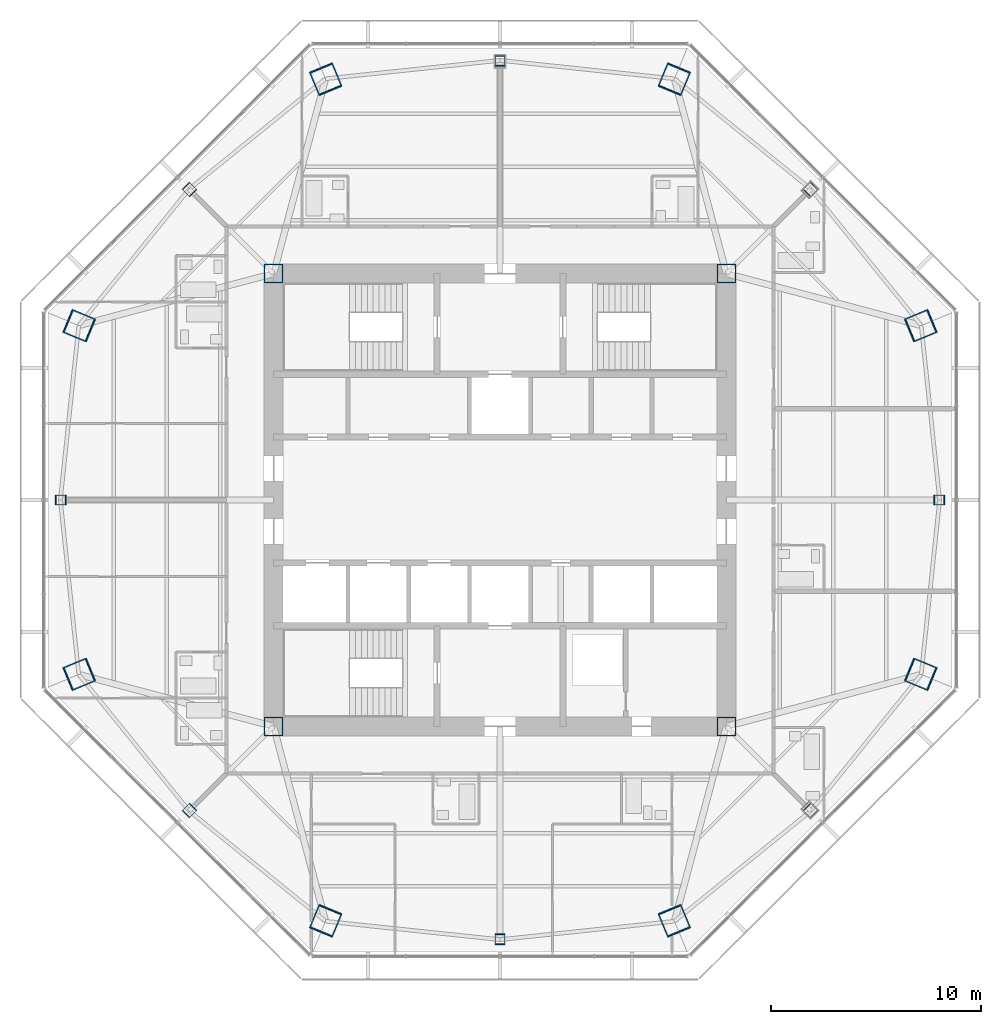
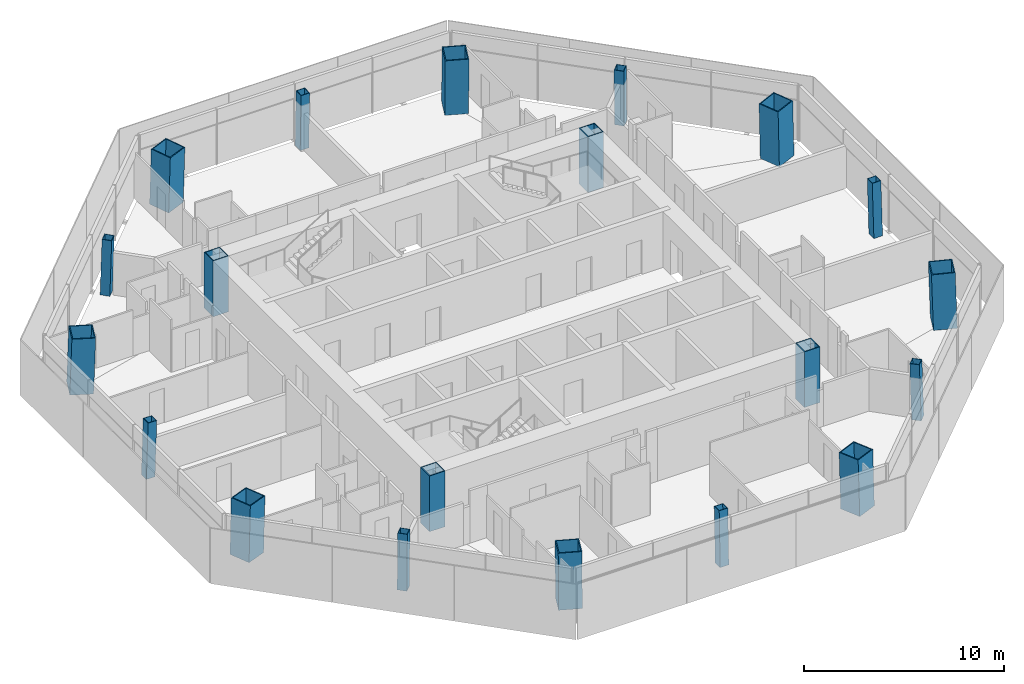
# One storey, part 1 of 15: 20 columns.
"""IFC4 building model written with IfcOpenShell, lengths in metres."""

from ifc_helpers import new_model, si_unit, direction, frame, origin, origin_2d, place, context, subcontext, project, spatial, hollow_rectangle, extrude, material, material_profile, profile_set, type_object, element, save


model = new_model("IFC4")

# Units and contexts
model_context = context("Model", 3, precision=1e-05, world=origin(), true_north=direction((0.0, 1.0)))
body_context = subcontext(model_context, "Body", "Model", "MODEL_VIEW")
ifc_project = project(units=[si_unit("LENGTHUNIT", "METRE"), si_unit("AREAUNIT", "SQUARE_METRE"), si_unit("VOLUMEUNIT", "CUBIC_METRE"), si_unit("PLANEANGLEUNIT", "RADIAN"), si_unit("MASSUNIT", "GRAM", prefix="KILO")], contexts=[model_context])

# Site, building, storey
site_placement = place(None, origin())
site = spatial("IfcSite", under=ifc_project, at=site_placement, CompositionType="ELEMENT")
building_placement = place(site_placement, origin())
building = spatial("IfcBuilding", under=site, at=building_placement, Name="Mashrafa Tower", CompositionType="ELEMENT")
storey_placement = place(building_placement, frame((0.0, 0.0, 221.0)))
storey = spatial("IfcBuildingStorey", under=building, at=storey_placement, Name="L51", CompositionType="ELEMENT", Elevation=221.0)

# Columns
ifc_material_1 = material(Name="Steel ASTM A572 Gr 50", Category="steel")
ifc_material_profile_1 = material_profile(ifc_material_1, hollow_rectangle(XDim=0.89990234375, YDim=0.89990234375, WallThickness=0.050048828125, at=origin_2d()), Name="BOX900X900X50")
ifc_profile_set_1 = profile_set([ifc_material_profile_1], Name="Steel ASTM A572 Gr 50")
column_type_1 = type_object("IfcColumnType", Name="Core corner column BOX900X900X50", PredefinedType="COLUMN", material=ifc_profile_set_1)
for number, where, z_axis, x_axis, name in (
    (1, (10.800048828125, 10.800048828125, 0.0), (0.0, 0.0, 1.0), (1.0, 0.0, 0.0), "Core corner column CC-NE L51"),
    (2, (-10.800048828125, 10.800048828125, 0.0), (0.0, 0.0, 1.0), (1.0, 0.0, 0.0), "Core corner column CC-NW L51"),
    (3, (-10.800048828125, -10.800048828125, 0.0), (0.0, 0.0, 1.0), (1.0, 0.0, 0.0), "Core corner column CC-SW L51"),
    (4, (10.800048828125, -10.800048828125, 0.0), (0.0, 0.0, 1.0), (1.0, 0.0, 0.0), "Core corner column CC-SE L51"),
):
    element("IfcColumn", number, at=place(storey_placement, frame(where, z_axis=z_axis, x_axis=x_axis)), inside=storey, type_object=column_type_1, Name=name, PredefinedType="COLUMN", context=body_context, shape_type="SweptSolid", body=[
        extrude(hollow_rectangle(XDim=0.89990234375, YDim=0.89990234375, WallThickness=0.050048828125, at=origin_2d()), origin(), (0.0, 0.0, 1.0), 3.39990234375),
    ])
ifc_material_2 = material(Name="Steel ASTM A572 Gr 50", Category="steel")
ifc_material_profile_2 = material_profile(ifc_material_2, hollow_rectangle(XDim=1.199951171875, YDim=1.199951171875, WallThickness=0.054931640625, at=origin_2d()), Name="BOX1200X1200X55")
ifc_profile_set_2 = profile_set([ifc_material_profile_2], Name="Steel ASTM A572 Gr 50")
column_type_2 = type_object("IfcColumnType", Name="Mega column CFST BOX1200X1200X55", PredefinedType="COLUMN", material=ifc_profile_set_2)
for number, where, z_axis, x_axis, name in (
    (5, (20.084716796875, 8.3193359375, 0.0), (-0.02827915051, -0.01169924247, 0.999531598986), (0.382282742426, -0.924045401938, 0.0), "Mega column MC1 L51"),
    (6, (8.3193359375, 20.084716796875, 0.0), (-0.01169924247, -0.02827915051, 0.999531598986), (0.924045401938, -0.382282742426, 0.0), "Mega column MC2 L51"),
    (7, (-8.3193359375, 20.084716796875, 0.0), (0.01169924247, -0.02827915051, 0.999531598986), (0.924045401938, 0.382282742426, 0.0), "Mega column MC3 L51"),
    (8, (-20.084716796875, 8.3193359375, 0.0), (0.02827915051, -0.01169924247, 0.999531598986), (0.382282742426, 0.924045401938, 0.0), "Mega column MC4 L51"),
    (9, (-20.084716796875, -8.3193359375, 0.0), (0.02827915051, 0.01169924247, 0.999531598986), (-0.382282742426, 0.924045401938, 0.0), "Mega column MC5 L51"),
    (10, (-8.3193359375, -20.084716796875, 0.0), (0.01169924247, 0.02827915051, 0.999531598986), (-0.924045401938, 0.382282742426, 0.0), "Mega column MC6 L51"),
    (11, (8.3193359375, -20.084716796875, 0.0), (-0.01169924247, 0.02827915051, 0.999531598986), (-0.924045401938, -0.382282742426, 0.0), "Mega column MC7 L51"),
    (12, (20.084716796875, -8.3193359375, 0.0), (-0.02827915051, 0.01169924247, 0.999531598986), (-0.382282742426, -0.924045401938, 0.0), "Mega column MC8 L51"),
):
    element("IfcColumn", number, at=place(storey_placement, frame(where, z_axis=z_axis, x_axis=x_axis)), inside=storey, type_object=column_type_2, Name=name, PredefinedType="COLUMN", context=body_context, shape_type="SweptSolid", body=[
        extrude(hollow_rectangle(XDim=1.199951171875, YDim=1.199951171875, WallThickness=0.054931640625, at=origin_2d()), origin(), (0.0, 0.0, 1.0), 3.401611328125),
    ])
ifc_material_3 = material(Name="Steel ASTM A572 Gr 50", Category="steel")
ifc_material_profile_3 = material_profile(ifc_material_3, hollow_rectangle(XDim=0.5, YDim=0.5, WallThickness=0.02490234375, at=origin_2d()), Name="BOX500X500X25")
ifc_profile_set_3 = profile_set([ifc_material_profile_3], Name="Steel ASTM A572 Gr 50")
column_type_3 = type_object("IfcColumnType", Name="Secondary column BOX500X500X25", PredefinedType="COLUMN", material=ifc_profile_set_3)
for number, where, z_axis, x_axis, name in (
    (13, (20.962890625, 0.0, 0.0), (-0.028281086024, 0.0, 0.999600010091), (0.0, -1.0, 0.0), "Secondary column SC1 L51"),
    (14, (14.822998046875, 14.822998046875, 0.0), (-0.01995470925, -0.01995470925, 0.999601730269), (0.707106781187, -0.707106781187, 0.0), "Secondary column SC2 L51"),
    (15, (0.0, 20.962890625, 0.0), (0.0, -0.028281086024, 0.999600010091), (1.0, 0.0, 0.0), "Secondary column SC3 L51"),
    (16, (-14.822998046875, 14.822998046875, 0.0), (0.01995470925, -0.01995470925, 0.999601730269), (0.707106781187, 0.707106781187, 0.0), "Secondary column SC4 L51"),
    (17, (-20.962890625, 0.0, 0.0), (0.028281086024, 0.0, 0.999600010091), (0.0, 1.0, 0.0), "Secondary column SC5 L51"),
    (18, (-14.822998046875, -14.822998046875, 0.0), (0.01995470925, 0.01995470925, 0.999601730269), (-0.707106781187, 0.707106781187, 0.0), "Secondary column SC6 L51"),
    (19, (0.0, -20.962890625, 0.0), (0.0, 0.028281086024, 0.999600010091), (-1.0, 0.0, 0.0), "Secondary column SC7 L51"),
    (20, (14.822998046875, -14.822998046875, 0.0), (-0.01995470925, 0.01995470925, 0.999601730269), (-0.707106781187, -0.707106781187, 0.0), "Secondary column SC8 L51"),
):
    element("IfcColumn", number, at=place(storey_placement, frame(where, z_axis=z_axis, x_axis=x_axis)), inside=storey, type_object=column_type_3, Name=name, PredefinedType="COLUMN", context=body_context, shape_type="SweptSolid", body=[
        extrude(hollow_rectangle(XDim=0.5, YDim=0.5, WallThickness=0.02490234375, at=origin_2d()), origin(), (0.0, 0.0, 1.0), 3.4013671875),
    ])

save(model, "model.ifc")
